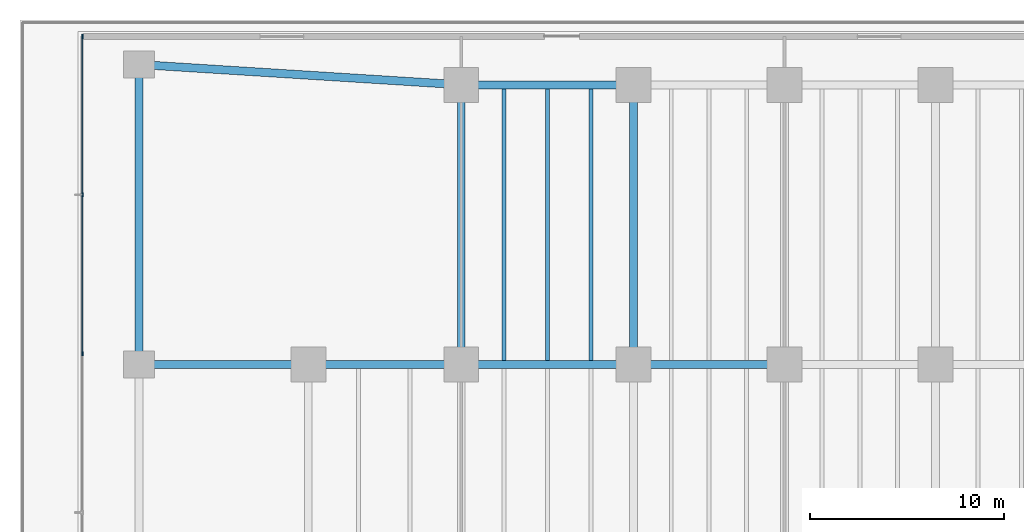
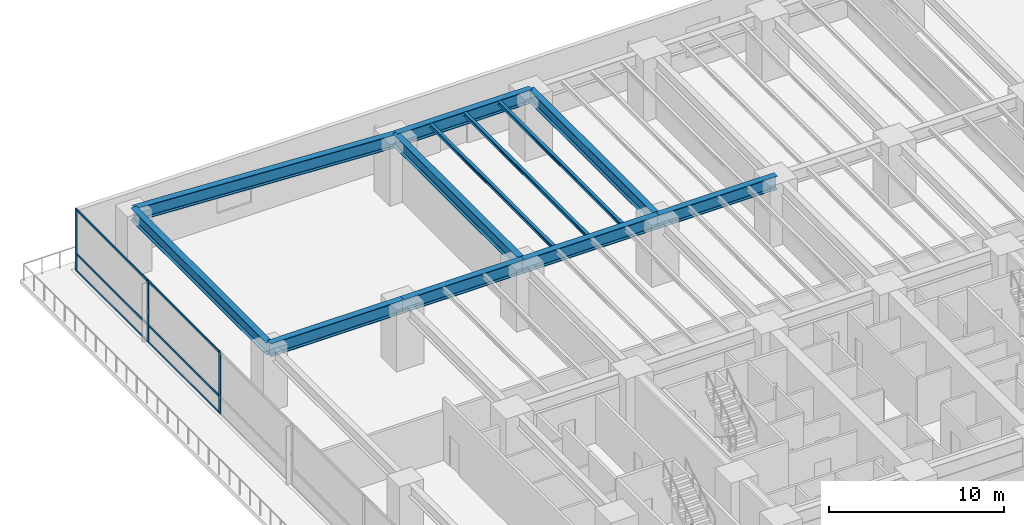
# One storey, part 5 of 28: 12 beams, 9 members, 1 element without a shape of its own.
"""IFC4 building model written with IfcOpenShell, lengths in metres."""

import ifcopenshell
import ifcopenshell.guid

model = None  # the IFC model being written
_history = None  # IfcOwnerHistory: only IFC2X3 demands one
_inside = {}  # id of a spatial element -> (the spatial element, [elements in it])
_under = {}  # id of a project, library or spatial element -> (it, [spatial elements below it])
_declared = {}  # id of a project -> (the project, [libraries it declares])
_typed = {}  # id of a type object -> (the type object, [elements of that type])
_made_of = {}  # id of a material, layer set ... -> (it, [elements and type objects made of it])


def new_model(schema):
    """Start an empty IFC model of exactly this schema.

    Asked for "IFC4X3", IfcOpenShell would pick the latest addendum, in which some entities
    have other attributes; the version numbers below select the first issue.
    IFC2X3 requires an IfcOwnerHistory on every rooted entity: one is made here for all.
    """
    global model, _history
    if schema == "IFC4X3":
        model = ifcopenshell.file(schema_version=(4, 3, 0, 0))
    else:
        model = ifcopenshell.file(schema=schema)
    _inside.clear()
    _under.clear()
    _declared.clear()
    _typed.clear()
    _made_of.clear()
    _history = None
    if model.schema == "IFC2X3":
        org = make("IfcOrganization", Name="unknown")
        user = make(
            "IfcPersonAndOrganization",
            ThePerson=make("IfcPerson", FamilyName="unknown"),
            TheOrganization=org,
        )
        app = make(
            "IfcApplication",
            ApplicationDeveloper=org,
            Version="unknown",
            ApplicationFullName="unknown",
            ApplicationIdentifier="unknown",
        )
        _history = make(
            "IfcOwnerHistory",
            OwningUser=user,
            OwningApplication=app,
            ChangeAction="ADDED",
            CreationDate=0,
        )
    return model


def make(cls, **values):
    """One entity of the class cls with the attributes given. An attribute that is None is left unset."""
    return model.create_entity(
        cls, **{name: value for name, value in values.items() if value is not None}
    )


def rooted(cls, **values):
    """An entity with a GlobalId (a new one), such as an element, a storey or a relation."""
    return make(cls, GlobalId=ifcopenshell.guid.new(), OwnerHistory=_history, **values)


def si_unit(unit_type, name, prefix=None):
    """IfcSIUnit, for example si_unit("LENGTHUNIT", "METRE", prefix="MILLI")."""
    return make("IfcSIUnit", UnitType=unit_type, Prefix=prefix, Name=name)


def assignment(units):
    """IfcUnitAssignment: the units of a project."""
    return None if units is None else make("IfcUnitAssignment", Units=units)


def point(xyz):
    """IfcCartesianPoint."""
    return None if xyz is None else make("IfcCartesianPoint", Coordinates=xyz)


def direction(xyz):
    """IfcDirection."""
    return None if xyz is None else make("IfcDirection", DirectionRatios=xyz)


def frame(location, z_axis=None, x_axis=None):
    """IfcAxis2Placement3D, a coordinate frame: its origin and axes. An axis left out is left unset."""
    return make(
        "IfcAxis2Placement3D",
        Location=point(location),
        Axis=direction(z_axis),
        RefDirection=direction(x_axis),
    )


def frame_2d(location, x_axis=None):
    """IfcAxis2Placement2D, a coordinate frame in the plane: its origin and x axis."""
    return make(
        "IfcAxis2Placement2D", Location=point(location), RefDirection=direction(x_axis)
    )


def origin():
    """The frame at (0, 0, 0) with its axes left unset."""
    return frame((0.0, 0.0, 0.0))


def origin_2d():
    """The frame at (0, 0) in the plane with its x axis left unset."""
    return frame_2d((0.0, 0.0))


def place(relative_to, where):
    """IfcLocalPlacement: puts the frame where relative to a parent placement (None: the world)."""
    return make(
        "IfcLocalPlacement", PlacementRelTo=relative_to, RelativePlacement=where
    )


def context(
    kind, dimensions, precision=None, world=None, true_north=None, identifier=None
):
    """IfcGeometricRepresentationContext, for example the 3D "Model" context."""
    return make(
        "IfcGeometricRepresentationContext",
        ContextIdentifier=identifier,
        ContextType=kind,
        CoordinateSpaceDimension=dimensions,
        Precision=precision,
        WorldCoordinateSystem=world,
        TrueNorth=true_north,
    )


def subcontext(parent, identifier, kind, view, scale=None):
    """IfcGeometricRepresentationSubContext, for example "Body" below "Model"."""
    return make(
        "IfcGeometricRepresentationSubContext",
        ContextIdentifier=identifier,
        ContextType=kind,
        ParentContext=parent,
        TargetScale=scale,
        TargetView=view,
    )


def project(units=None, contexts=None):
    """IfcProject with its units and contexts."""
    return rooted(
        "IfcProject",
        Name="project",
        RepresentationContexts=contexts,
        UnitsInContext=assignment(units),
    )


def spatial(cls, under=None, at=None, **own):
    """A site, building, storey or space (cls), placed at a placement, below another one or the project."""
    s = rooted(cls, ObjectPlacement=at, **own)
    if under is not None:
        _under.setdefault(under.id(), (under, []))[1].append(s)
    return s


def profile(cls, at=None, kind="AREA", **sizes):
    """A parametric profile (cls). Its sizes go by their IFC names, for example OverallWidth=200.0."""
    return make(cls, ProfileType=kind, Position=at, **sizes)


def rectangle(**sizes):
    """IfcRectangleProfileDef."""
    return profile("IfcRectangleProfileDef", **sizes)


def i_section(**sizes):
    """IfcIShapeProfileDef."""
    return profile("IfcIShapeProfileDef", **sizes)


def extrude(swept, where, along, depth):
    """IfcExtrudedAreaSolid: the profile swept, set in the frame where, extruded along a direction by depth."""
    return make(
        "IfcExtrudedAreaSolid",
        SweptArea=swept,
        Position=where,
        ExtrudedDirection=direction(along),
        Depth=depth,
    )


def shape(context_of_items, identifier, shape_type, items):
    """IfcShapeRepresentation: the items that make up one representation, for example the "Body"."""
    return make(
        "IfcShapeRepresentation",
        ContextOfItems=context_of_items,
        RepresentationIdentifier=identifier,
        RepresentationType=shape_type,
        Items=items,
    )


def material(Name=None, Category=None):
    """IfcMaterial."""
    return make("IfcMaterial", Name=Name, Category=Category)


def layer(
    of_material, thickness, ventilated=None, Name=None, Category=None, Priority=None
):
    """IfcMaterialLayer: one layer of a wall or slab, of a material (None: an air gap)."""
    return make(
        "IfcMaterialLayer",
        Material=of_material,
        LayerThickness=thickness,
        IsVentilated=ventilated,
        Name=Name,
        Category=Category,
        Priority=Priority,
    )


def layer_set(layers, Name=None):
    """IfcMaterialLayerSet."""
    return make("IfcMaterialLayerSet", MaterialLayers=layers, LayerSetName=Name)


def material_profile(
    of_material, cross_section, Name=None, Category=None, Priority=None
):
    """IfcMaterialProfile: a cross section and its material."""
    return make(
        "IfcMaterialProfile",
        Name=Name,
        Material=of_material,
        Profile=cross_section,
        Priority=Priority,
        Category=Category,
    )


def profile_set(profiles, Name=None, composite=None):
    """IfcMaterialProfileSet."""
    return make(
        "IfcMaterialProfileSet",
        Name=Name,
        MaterialProfiles=profiles,
        CompositeProfile=composite,
    )


def made_of(thing, what):
    """Note that an element or type object is made of a material, layer set ...; save() writes the relation."""
    if what is not None:
        _made_of.setdefault(what.id(), (what, []))[1].append(thing)
    return thing


def type_object(cls, material=None, **own):
    """A type object (cls), such as IfcWallType, which elements share."""
    return made_of(rooted(cls, **own), material)


def element(
    cls,
    number,
    at=None,
    inside=None,
    cuts=None,
    type_object=None,
    material=None,
    context=None,
    identifier="Body",
    shape_type=None,
    held_by="IfcProductDefinitionShape",
    body=None,
    shapes=None,
    **own,
):
    """One element of the class cls, such as IfcWall. Its Tag is "e" and its number.

    at: its placement. inside: the storey or other place that contains it. cuts: it is an
    opening in that element (IfcRelVoidsElement). A single representation is given by context,
    identifier, shape_type and body (its items); several are given by shapes. held_by: the class
    of the entity that holds the representations. save() writes the other relations.
    """
    e = rooted(cls, Tag="e%d" % number, ObjectPlacement=at, **own)
    if body is not None:
        shapes = [shape(context, identifier, shape_type, body)]
    if shapes is not None:
        e.Representation = make(held_by, Representations=shapes)
    if inside is not None:
        _inside.setdefault(inside.id(), (inside, []))[1].append(e)
    if cuts is not None:
        rooted(
            "IfcRelVoidsElement", RelatingBuildingElement=cuts, RelatedOpeningElement=e
        )
    if type_object is not None:
        _typed.setdefault(type_object.id(), (type_object, []))[1].append(e)
    return made_of(e, material)


def aggregate(whole, parts):
    """IfcRelAggregates: a whole, such as a stair, and the parts it consists of."""
    return rooted("IfcRelAggregates", RelatingObject=whole, RelatedObjects=parts)


def save(model, path):
    """Write the relations noted so far, then the file.

    IfcRelAggregates (storeys below a building ...), IfcRelContainedInSpatialStructure (elements
    in a storey), IfcRelDefinesByType, IfcRelAssociatesMaterial and IfcRelDeclares: one each for
    every whole, place, type object, material and project.
    """
    for whole, parts in _under.values():
        aggregate(whole, parts)
    for where, things in _inside.values():
        rooted(
            "IfcRelContainedInSpatialStructure",
            RelatedElements=things,
            RelatingStructure=where,
        )
    for kind, things in _typed.values():
        rooted("IfcRelDefinesByType", RelatedObjects=things, RelatingType=kind)
    for what, things in _made_of.values():
        rooted("IfcRelAssociatesMaterial", RelatedObjects=things, RelatingMaterial=what)
    for by, libraries in _declared.values():
        rooted("IfcRelDeclares", RelatingContext=by, RelatedDefinitions=libraries)
    model.write(path)


model = new_model("IFC4")

# Units and contexts
model_context = context("Model", 3, precision=1e-05, world=origin(), true_north=direction((0.0, 1.0)))
body_context = subcontext(model_context, "Body", "Model", "MODEL_VIEW")
ifc_project = project(units=[si_unit("LENGTHUNIT", "METRE"), si_unit("AREAUNIT", "SQUARE_METRE"), si_unit("VOLUMEUNIT", "CUBIC_METRE"), si_unit("PLANEANGLEUNIT", "RADIAN"), si_unit("MASSUNIT", "GRAM", prefix="KILO")], contexts=[model_context])

# Site, building, storey
site_placement = place(None, origin())
site = spatial("IfcSite", under=ifc_project, at=site_placement, CompositionType="ELEMENT")
building_placement = place(site_placement, origin())
building = spatial("IfcBuilding", under=site, at=building_placement, Name="Qalmaran Belvedere Hotel", CompositionType="ELEMENT")
storey_placement = place(building_placement, frame((0.0, 0.0, 10.0)))
storey = spatial("IfcBuildingStorey", under=building, at=storey_placement, Name="L02", CompositionType="ELEMENT", Elevation=10.0)

# Beams
ifc_material_1 = material(Name="Steel S355JR", Category="steel")
ifc_material_profile_1 = material_profile(ifc_material_1, i_section(OverallWidth=0.201904296875, OverallDepth=0.2470703125, WebThickness=0.00732421875, FlangeThickness=0.010986328125, FilletRadius=0.011962890625, at=origin_2d()), Name="W250X49")
ifc_profile_set_1 = profile_set([ifc_material_profile_1], Name="Steel S355JR")
beam_type_1 = type_object("IfcBeamType", Name="BM-JST-W250X49", PredefinedType="JOIST", material=ifc_profile_set_1)
for number, where, z_axis, x_axis, name in (
    (1, (22.5, 33.2080078125, 4.176513671875), (0.0, 1.0, 0.0), (-1.0, 0.0, 0.0), "L02 Podium North-Ballroom Joist 056"),
    (2, (24.75, 33.2080078125, 4.176513671875), (0.0, 1.0, 0.0), (-1.0, 0.0, 0.0), "L02 Podium North-Ballroom Joist 058"),
    (3, (27.0, 33.2080078125, 4.176513671875), (0.0, 1.0, 0.0), (-1.0, 0.0, 0.0), "L02 Podium North-Ballroom Joist 060"),
):
    element("IfcBeam", number, at=place(storey_placement, frame(where, z_axis=z_axis, x_axis=x_axis)), inside=storey, type_object=beam_type_1, Name=name, PredefinedType="JOIST", context=body_context, shape_type="SweptSolid", body=[
        extrude(i_section(OverallWidth=0.201904296875, OverallDepth=0.2470703125, WebThickness=0.00732421875, FlangeThickness=0.010986328125, FilletRadius=0.011962890625, at=origin_2d()), origin(), (0.0, 0.0, 1.0), 14.033935546875),
    ])
ifc_material_profile_2 = material_profile(ifc_material_1, i_section(OverallWidth=0.419921875, OverallDepth=0.9208984375, WebThickness=0.021240234375, FlangeThickness=0.03662109375, FilletRadius=0.02392578125, at=origin_2d()), Name="W920X387")
ifc_profile_set_2 = profile_set([ifc_material_profile_2], Name="Steel S355JR")
beam_type_2 = type_object("IfcBeamType", Name="BM-PG1-W920X387", PredefinedType="USERDEFINED", material=ifc_profile_set_2)
beam_1_placement = place(storey_placement, frame((3.64990234375, 33.0, 3.839599609375), z_axis=(1.0, 0.0, 0.0), x_axis=(0.0, 1.0, 0.0)))
element("IfcBeam", 4, at=beam_1_placement, inside=storey, type_object=beam_type_2, Name="L02 Podium Primary Girder GX14", ObjectType="GIRDER", PredefinedType="USERDEFINED", context=body_context, shape_type="SweptSolid", body=[
    extrude(i_section(OverallWidth=0.419921875, OverallDepth=0.9208984375, WebThickness=0.021240234375, FlangeThickness=0.03662109375, FilletRadius=0.02392578125, at=origin_2d()), origin(), (0.0, 0.0, 1.0), 8.75),
])
beam_2_placement = place(storey_placement, frame((12.39990234375, 33.0, 3.839599609375), z_axis=(1.0, 0.0, 0.0), x_axis=(0.0, 1.0, 0.0)))
element("IfcBeam", 5, at=beam_2_placement, inside=storey, type_object=beam_type_2, Name="L02 Podium Primary Girder GX15", ObjectType="GIRDER", PredefinedType="USERDEFINED", context=body_context, shape_type="SweptSolid", body=[
    extrude(i_section(OverallWidth=0.419921875, OverallDepth=0.9208984375, WebThickness=0.021240234375, FlangeThickness=0.03662109375, FilletRadius=0.02392578125, at=origin_2d()), origin(), (0.0, 0.0, 1.0), 7.900146484375),
])
beam_3_placement = place(storey_placement, frame((20.300048828125, 33.0, 3.839599609375), z_axis=(1.0, 0.0, 0.0), x_axis=(0.0, 1.0, 0.0)))
element("IfcBeam", 6, at=beam_3_placement, inside=storey, type_object=beam_type_2, Name="L02 Podium Primary Girder GX16", ObjectType="GIRDER", PredefinedType="USERDEFINED", context=body_context, shape_type="SweptSolid", body=[
    extrude(i_section(OverallWidth=0.419921875, OverallDepth=0.9208984375, WebThickness=0.021240234375, FlangeThickness=0.03662109375, FilletRadius=0.02392578125, at=origin_2d()), origin(), (0.0, 0.0, 1.0), 8.89990234375),
])
beam_4_placement = place(storey_placement, frame((29.199951171875, 33.0, 3.839599609375), z_axis=(1.0, 0.0, 0.0), x_axis=(0.0, 1.0, 0.0)))
element("IfcBeam", 7, at=beam_4_placement, inside=storey, type_object=beam_type_2, Name="L02 Podium Primary Girder GX17", ObjectType="GIRDER", PredefinedType="USERDEFINED", context=body_context, shape_type="SweptSolid", body=[
    extrude(i_section(OverallWidth=0.419921875, OverallDepth=0.9208984375, WebThickness=0.021240234375, FlangeThickness=0.03662109375, FilletRadius=0.02392578125, at=origin_2d()), origin(), (0.0, 0.0, 1.0), 7.800048828125),
])
beam_5_placement = place(storey_placement, frame((3.64990234375, 48.5, 3.839599609375), z_axis=(0.998017287437, -0.0629404002, 0.0), x_axis=(0.0629404002, 0.998017287437, 0.0)))
element("IfcBeam", 8, at=beam_5_placement, inside=storey, type_object=beam_type_2, Name="L02 Podium Primary Girder GX22", ObjectType="GIRDER", PredefinedType="USERDEFINED", context=body_context, shape_type="SweptSolid", body=[
    extrude(i_section(OverallWidth=0.419921875, OverallDepth=0.9208984375, WebThickness=0.021240234375, FlangeThickness=0.03662109375, FilletRadius=0.02392578125, at=origin_2d()), origin(), (0.0, 0.0, 1.0), 16.68310546875),
])
beam_6_placement = place(storey_placement, frame((20.300048828125, 47.449951171875, 3.839599609375), z_axis=(1.0, 0.0, 0.0), x_axis=(0.0, 1.0, 0.0)))
element("IfcBeam", 9, at=beam_6_placement, inside=storey, type_object=beam_type_2, Name="L02 Podium Primary Girder GX23", ObjectType="GIRDER", PredefinedType="USERDEFINED", context=body_context, shape_type="SweptSolid", body=[
    extrude(i_section(OverallWidth=0.419921875, OverallDepth=0.9208984375, WebThickness=0.021240234375, FlangeThickness=0.03662109375, FilletRadius=0.02392578125, at=origin_2d()), origin(), (0.0, 0.0, 1.0), 8.89990234375),
])
ifc_material_profile_3 = material_profile(ifc_material_1, i_section(OverallWidth=0.39990234375, OverallDepth=0.85498046875, WebThickness=0.018310546875, FlangeThickness=0.029296875, FilletRadius=0.02392578125, at=origin_2d()), Name="W840X299")
ifc_profile_set_3 = profile_set([ifc_material_profile_3], Name="Steel S355JR")
beam_type_3 = type_object("IfcBeamType", Name="BM-PG3-W840X299", PredefinedType="USERDEFINED", material=ifc_profile_set_3)
beam_7_placement = place(storey_placement, frame((3.64990234375, 33.0, 3.87255859375), z_axis=(0.0, 1.0, 0.0), x_axis=(-1.0, 0.0, 0.0)))
element("IfcBeam", 10, at=beam_7_placement, inside=storey, type_object=beam_type_3, Name="L02 Podium Transverse Girder GY30", ObjectType="GIRDER", PredefinedType="USERDEFINED", context=body_context, shape_type="SweptSolid", body=[
    extrude(i_section(OverallWidth=0.39990234375, OverallDepth=0.85498046875, WebThickness=0.018310546875, FlangeThickness=0.029296875, FilletRadius=0.02392578125, at=origin_2d()), origin(), (0.0, 0.0, 1.0), 15.5),
])
for number, where, z_axis, x_axis, name in (
    (11, (20.300048828125, 33.0, 3.87255859375), (0.0, 1.0, 0.0), (-1.0, 0.0, 0.0), "L02 Podium Transverse Girder GY36"),
    (12, (29.199951171875, 33.0, 3.87255859375), (0.0, 1.0, 0.0), (-1.0, 0.0, 0.0), "L02 Podium Transverse Girder GY39"),
):
    element("IfcBeam", number, at=place(storey_placement, frame(where, z_axis=z_axis, x_axis=x_axis)), inside=storey, type_object=beam_type_3, Name=name, ObjectType="GIRDER", PredefinedType="USERDEFINED", context=body_context, shape_type="SweptSolid", body=[
        extrude(i_section(OverallWidth=0.39990234375, OverallDepth=0.85498046875, WebThickness=0.018310546875, FlangeThickness=0.029296875, FilletRadius=0.02392578125, at=origin_2d()), origin(), (0.0, 0.0, 1.0), 14.449951171875),
    ])

# Curtain wall, members
ifc_material_2 = material(Name="Anodised Bronze Aluminium", Category="aluminium")
ifc_layer = layer(ifc_material_2, 0.219970703125, Name="Anodised Bronze Aluminium")
ifc_layer_set = layer_set([ifc_layer], Name="Anodised Bronze Aluminium")
curtain_wall_type = type_object("IfcCurtainWallType", Name="CW1-PODIUM-BRONZE", PredefinedType="NOTDEFINED", material=ifc_layer_set)
curtain_wall_placement = place(storey_placement, origin())
curtain_wall = element("IfcCurtainWall", 13, at=curtain_wall_placement, inside=storey, type_object=curtain_wall_type, Name="L02 Curtain Wall CW1", PredefinedType="NOTDEFINED")
ifc_material_profile_4 = material_profile(ifc_material_2, rectangle(XDim=0.074951171875, YDim=0.219970703125, at=origin_2d()), Name="CWM75X220")
ifc_profile_set_4 = profile_set([ifc_material_profile_4], Name="Anodised Bronze Aluminium")
member_type_1 = type_object("IfcMemberType", Name="CWM-75X220", PredefinedType="MULLION", material=ifc_profile_set_4)
member_1_placement = place(storey_placement, frame((0.719970703125, 49.9423828125, 0.0), z_axis=(0.0, 0.0, 1.0), x_axis=(1.0, 0.0, 0.0)))
member_1 = element("IfcMember", 14, at=member_1_placement, type_object=member_type_1, Name="CW1 mullion 1", PredefinedType="MULLION", context=body_context, shape_type="SweptSolid", body=[
    extrude(rectangle(XDim=0.074951171875, YDim=0.219970703125, at=origin_2d()), origin(), (0.0, 0.0, 1.0), 4.300048828125),
])
member_2_placement = place(storey_placement, frame((0.719970703125, 41.77001953125, 0.0), z_axis=(0.0, 0.0, 1.0), x_axis=(1.0, 0.0, 0.0)))
member_2 = element("IfcMember", 15, at=member_2_placement, type_object=member_type_1, Name="CW1 mullion 2", PredefinedType="MULLION", context=body_context, shape_type="SweptSolid", body=[
    extrude(rectangle(XDim=0.074951171875, YDim=0.219970703125, at=origin_2d()), origin(), (0.0, 0.0, 1.0), 4.300048828125),
])
member_3_placement = place(storey_placement, frame((0.719970703125, 33.56005859375, 0.0), z_axis=(0.0, 0.0, 1.0), x_axis=(1.0, 0.0, 0.0)))
member_3 = element("IfcMember", 16, at=member_3_placement, type_object=member_type_1, Name="CW1 mullion 3", PredefinedType="MULLION", context=body_context, shape_type="SweptSolid", body=[
    extrude(rectangle(XDim=0.074951171875, YDim=0.219970703125, at=origin_2d()), origin(), (0.0, 0.0, 1.0), 4.300048828125),
])
ifc_material_profile_5 = material_profile(ifc_material_2, rectangle(XDim=0.070068359375, YDim=0.14990234375, at=origin_2d()), Name="CWT70X150")
ifc_profile_set_5 = profile_set([ifc_material_profile_5], Name="Anodised Bronze Aluminium")
member_type_2 = type_object("IfcMemberType", Name="CWT-70X150", PredefinedType="USERDEFINED", material=ifc_profile_set_5)
member_4_placement = place(storey_placement, frame((0.719970703125, 49.905029296875, 0.034912109375), z_axis=(0.0, -1.0, 0.0), x_axis=(1.0, 0.0, 0.0)))
member_4 = element("IfcMember", 17, at=member_4_placement, type_object=member_type_2, Name="CW1 transom 1.1", ObjectType="TRANSOM", PredefinedType="USERDEFINED", context=body_context, shape_type="SweptSolid", body=[
    extrude(rectangle(XDim=0.070068359375, YDim=0.14990234375, at=origin_2d()), origin(), (0.0, 0.0, 1.0), 8.097412109375),
])
member_5_placement = place(storey_placement, frame((0.719970703125, 49.905029296875, 1.2041015625), z_axis=(0.0, -1.0, 0.0), x_axis=(1.0, 0.0, 0.0)))
member_5 = element("IfcMember", 18, at=member_5_placement, type_object=member_type_2, Name="CW1 transom 1.2", ObjectType="TRANSOM", PredefinedType="USERDEFINED", context=body_context, shape_type="SweptSolid", body=[
    extrude(rectangle(XDim=0.070068359375, YDim=0.14990234375, at=origin_2d()), origin(), (0.0, 0.0, 1.0), 8.097412109375),
])
member_6_placement = place(storey_placement, frame((0.719970703125, 49.905029296875, 4.264892578125), z_axis=(0.0, -1.0, 0.0), x_axis=(1.0, 0.0, 0.0)))
member_6 = element("IfcMember", 19, at=member_6_placement, type_object=member_type_2, Name="CW1 transom 1.3", ObjectType="TRANSOM", PredefinedType="USERDEFINED", context=body_context, shape_type="SweptSolid", body=[
    extrude(rectangle(XDim=0.070068359375, YDim=0.14990234375, at=origin_2d()), origin(), (0.0, 0.0, 1.0), 8.097412109375),
])
member_7_placement = place(storey_placement, frame((0.719970703125, 41.732421875, 0.034912109375), z_axis=(0.0, -1.0, 0.0), x_axis=(1.0, 0.0, 0.0)))
member_7 = element("IfcMember", 20, at=member_7_placement, type_object=member_type_2, Name="CW1 transom 2.1", ObjectType="TRANSOM", PredefinedType="USERDEFINED", context=body_context, shape_type="SweptSolid", body=[
    extrude(rectangle(XDim=0.070068359375, YDim=0.14990234375, at=origin_2d()), origin(), (0.0, 0.0, 1.0), 8.135009765625),
])
member_8_placement = place(storey_placement, frame((0.719970703125, 41.732421875, 1.2041015625), z_axis=(0.0, -1.0, 0.0), x_axis=(1.0, 0.0, 0.0)))
member_8 = element("IfcMember", 21, at=member_8_placement, type_object=member_type_2, Name="CW1 transom 2.2", ObjectType="TRANSOM", PredefinedType="USERDEFINED", context=body_context, shape_type="SweptSolid", body=[
    extrude(rectangle(XDim=0.070068359375, YDim=0.14990234375, at=origin_2d()), origin(), (0.0, 0.0, 1.0), 8.135009765625),
])
member_9_placement = place(storey_placement, frame((0.719970703125, 41.732421875, 4.264892578125), z_axis=(0.0, -1.0, 0.0), x_axis=(1.0, 0.0, 0.0)))
member_9 = element("IfcMember", 22, at=member_9_placement, type_object=member_type_2, Name="CW1 transom 2.3", ObjectType="TRANSOM", PredefinedType="USERDEFINED", context=body_context, shape_type="SweptSolid", body=[
    extrude(rectangle(XDim=0.070068359375, YDim=0.14990234375, at=origin_2d()), origin(), (0.0, 0.0, 1.0), 8.135009765625),
])
aggregate(curtain_wall, [member_1, member_2, member_3, member_4, member_5, member_6, member_7, member_8, member_9])

save(model, "model.ifc")
